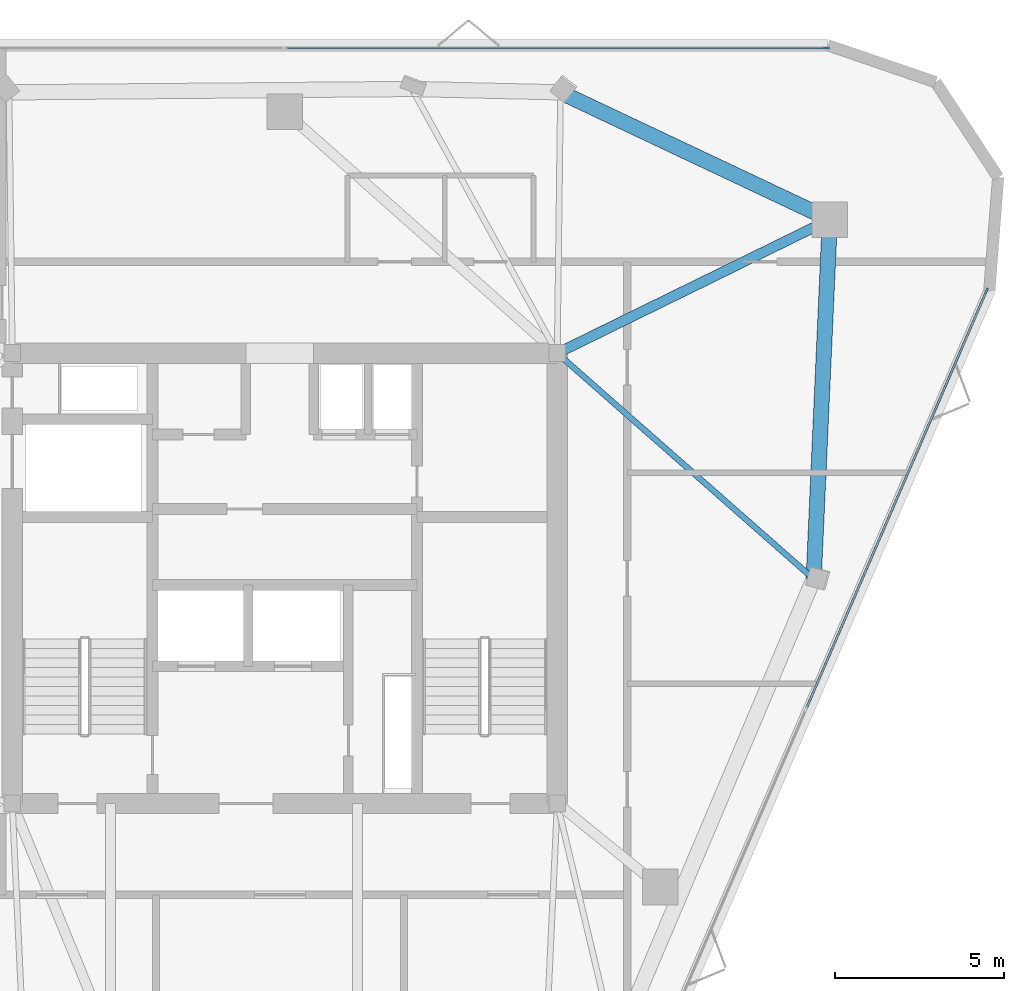
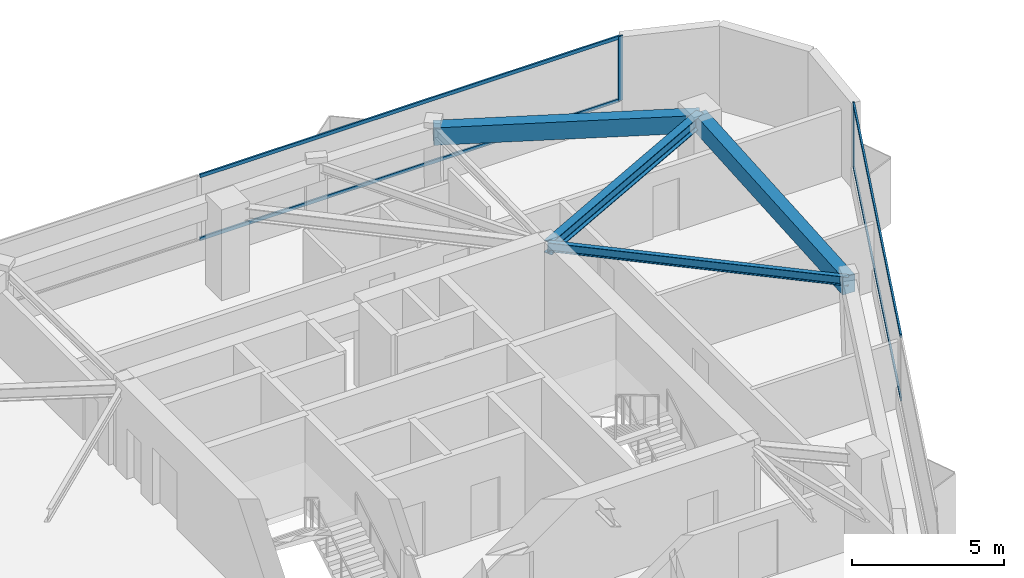
# One storey, part 5 of 9: 6 members, 4 beams, 2 elements without a shape of their own.
"""IFC4 building model written with IfcOpenShell, lengths in metres."""

from ifc_helpers import new_model, si_unit, direction, frame, origin, origin_2d, place, context, subcontext, project, spatial, rectangle, i_section, extrude, material, layer, layer_set, material_profile, profile_set, type_object, element, aggregate, save


model = new_model("IFC4")

# Units and contexts
model_context = context("Model", 3, precision=1e-05, world=origin(), true_north=direction((0.0, 1.0)))
body_context = subcontext(model_context, "Body", "Model", "MODEL_VIEW")
ifc_project = project(units=[si_unit("LENGTHUNIT", "METRE"), si_unit("AREAUNIT", "SQUARE_METRE"), si_unit("VOLUMEUNIT", "CUBIC_METRE"), si_unit("PLANEANGLEUNIT", "RADIAN"), si_unit("MASSUNIT", "GRAM", prefix="KILO")], contexts=[model_context])

# Site, building, storey
site_placement = place(None, origin())
site = spatial("IfcSite", under=ifc_project, at=site_placement, CompositionType="ELEMENT")
building_placement = place(site_placement, origin())
building = spatial("IfcBuilding", under=site, at=building_placement, Name="Talyreon Biosciences Tower", CompositionType="ELEMENT")
storey_placement = place(building_placement, frame((0.0, 0.0, 298.39990234375)))
storey = spatial("IfcBuildingStorey", under=building, at=storey_placement, Name="L79", CompositionType="ELEMENT", Elevation=298.39990234375)

# Curtain wall, member
ifc_material_1 = material(Name="Thermally broken aluminium and low-E glazing", Category="aluminium")
ifc_layer = layer(ifc_material_1, 0.175048828125)
ifc_layer_set = layer_set([ifc_layer], Name="Thermally broken aluminium and low-E glazing")
curtain_wall_type = type_object("IfcCurtainWallType", Name="CurtainWall_Zone5CompLab", PredefinedType="NOTDEFINED", material=ifc_layer_set)
curtain_wall_1_placement = place(storey_placement, origin())
curtain_wall_1 = element("IfcCurtainWall", 1, at=curtain_wall_1_placement, inside=storey, type_object=curtain_wall_type, Name="L79 Unitised Curtain Wall FCW-L79-04", PredefinedType="NOTDEFINED")
ifc_material_2 = material(Name="Anodised thermally broken aluminium", Category="aluminium")
ifc_material_profile_1 = material_profile(ifc_material_2, rectangle(XDim=0.06494140625, YDim=0.179931640625, at=origin_2d()), Name="ALUM MULLION 65x180")
ifc_profile_set_1 = profile_set([ifc_material_profile_1], Name="Anodised thermally broken aluminium")
member_type_1 = type_object("IfcMemberType", Name="CWMullion_65x180", PredefinedType="MULLION", material=ifc_profile_set_1)
member_1_placement = place(storey_placement, frame((82.009765625, 83.67041015625, 0.81005859375), z_axis=(0.0, 0.0, 1.0), x_axis=(0.0, 1.0, 0.0)))
member_1 = element("IfcMember", 2, at=member_1_placement, type_object=member_type_1, Name="CW6 mullion 3", PredefinedType="MULLION", context=body_context, shape_type="SweptSolid", body=[
    extrude(rectangle(XDim=0.06494140625, YDim=0.179931640625, at=origin_2d()), origin(), (0.0, 0.0, 1.0), 2.590087890625),
])

curtain_wall_2_placement = place(storey_placement, origin())
curtain_wall_2 = element("IfcCurtainWall", 3, at=curtain_wall_2_placement, inside=storey, type_object=curtain_wall_type, Name="L79 Unitised Curtain Wall FCW-L79-08", PredefinedType="NOTDEFINED")
member_2_placement = place(storey_placement, frame((86.73046875, 76.4921875, 0.81005859375), z_axis=(0.0, 0.0, 1.0), x_axis=(0.918187314575, -0.396146507437, 0.0)))
member_2 = element("IfcMember", 4, at=member_2_placement, type_object=member_type_1, Name="CW6 mullion 1", PredefinedType="MULLION", context=body_context, shape_type="SweptSolid", body=[
    extrude(rectangle(XDim=0.06494140625, YDim=0.179931640625, at=origin_2d()), origin(), (0.0, 0.0, 1.0), 2.590087890625),
])

# Member
ifc_material_profile_2 = material_profile(ifc_material_2, rectangle(XDim=0.06494140625, YDim=0.139892578125, at=origin_2d()), Name="ALUM TRANSOM 65x140")
ifc_profile_set_2 = profile_set([ifc_material_profile_2], Name="Anodised thermally broken aluminium")
member_type_2 = type_object("IfcMemberType", Name="CWTransom_65x140", PredefinedType="USERDEFINED", material=ifc_profile_set_2)
member_3_placement = place(storey_placement, frame((66.032470703125, 83.67041015625, 0.842529296875), z_axis=(1.0, 0.0, 0.0), x_axis=(0.0, 1.0, 0.0)))
member_3 = element("IfcMember", 5, at=member_3_placement, type_object=member_type_2, Name="CW6 transom 2.1", ObjectType="TRANSOM", PredefinedType="USERDEFINED", context=body_context, shape_type="SweptSolid", body=[
    extrude(rectangle(XDim=0.06494140625, YDim=0.139892578125, at=origin_2d()), origin(), (0.0, 0.0, 1.0), 15.94482421875),
])

member_4_placement = place(storey_placement, frame((66.032470703125, 83.67041015625, 3.36767578125), z_axis=(1.0, 0.0, 0.0), x_axis=(0.0, 1.0, 0.0)))
member_4 = element("IfcMember", 6, at=member_4_placement, type_object=member_type_2, Name="CW6 transom 2.2", ObjectType="TRANSOM", PredefinedType="USERDEFINED", context=body_context, shape_type="SweptSolid", body=[
    extrude(rectangle(XDim=0.06494140625, YDim=0.139892578125, at=origin_2d()), origin(), (0.0, 0.0, 1.0), 15.94482421875),
])

aggregate(curtain_wall_1, [member_1, member_3, member_4])

member_5_placement = place(storey_placement, frame((86.717529296875, 76.46240234375, 0.842529296875), z_axis=(-0.396134480122, -0.918192503595, 0.0), x_axis=(0.918192503595, -0.396134480122, 0.0)))
member_5 = element("IfcMember", 7, at=member_5_placement, type_object=member_type_2, Name="CW6 transom 1.1", ObjectType="TRANSOM", PredefinedType="USERDEFINED", context=body_context, shape_type="SweptSolid", body=[
    extrude(rectangle(XDim=0.06494140625, YDim=0.139892578125, at=origin_2d()), origin(), (0.0, 0.0, 1.0), 13.40087890625),
])

member_6_placement = place(storey_placement, frame((86.717529296875, 76.46240234375, 3.36767578125), z_axis=(-0.396134480122, -0.918192503595, 0.0), x_axis=(0.918192503595, -0.396134480122, 0.0)))
member_6 = element("IfcMember", 8, at=member_6_placement, type_object=member_type_2, Name="CW6 transom 1.2", ObjectType="TRANSOM", PredefinedType="USERDEFINED", context=body_context, shape_type="SweptSolid", body=[
    extrude(rectangle(XDim=0.06494140625, YDim=0.139892578125, at=origin_2d()), origin(), (0.0, 0.0, 1.0), 13.40087890625),
])

aggregate(curtain_wall_2, [member_2, member_5, member_6])

# Beams
ifc_material_3 = material(Name="Precast concrete C45/55", Category="concrete")
ifc_material_profile_3 = material_profile(ifc_material_3, rectangle(XDim=0.449951171875, YDim=0.699951171875, at=origin_2d()), Name="RCB 450x700")
ifc_profile_set_3 = profile_set([ifc_material_profile_3], Name="Precast concrete C45/55")
beam_type_1 = type_object("IfcBeamType", Name="ExpressedSpandrel_450x700", PredefinedType="SPANDREL", material=ifc_profile_set_3)
beam_1_placement = place(storey_placement, frame((81.625, 67.981201171875, 3.050048828125), z_axis=(0.044908542512, 0.998991102468, 0.0), x_axis=(-0.998991102468, 0.044908542512, 0.0)))
element("IfcBeam", 9, at=beam_1_placement, inside=storey, type_object=beam_type_1, Name="L79 Expressed Horizontal Concrete Spandrel 04", PredefinedType="SPANDREL", context=body_context, shape_type="SweptSolid", body=[
    extrude(rectangle(XDim=0.449951171875, YDim=0.699951171875, at=origin_2d()), origin(), (0.0, 0.0, 1.0), 10.628173828125),
])
beam_2_placement = place(storey_placement, frame((82.102294921875, 78.5986328125, 3.050048828125), z_axis=(-0.904251325158, 0.42700063343, 0.0), x_axis=(-0.42700063343, -0.904251325158, 0.0)))
element("IfcBeam", 10, at=beam_2_placement, inside=storey, type_object=beam_type_1, Name="L79 Expressed Horizontal Concrete Spandrel 05", PredefinedType="SPANDREL", context=body_context, shape_type="SweptSolid", body=[
    extrude(rectangle(XDim=0.449951171875, YDim=0.699951171875, at=origin_2d()), origin(), (0.0, 0.0, 1.0), 8.798828125),
])
ifc_material_4 = material(Name="Steel SM355", Category="steel")
ifc_material_profile_4 = material_profile(ifc_material_4, i_section(OverallWidth=0.300048828125, OverallDepth=0.5, WebThickness=0.014404296875, FlangeThickness=0.028076171875, FilletRadius=0.027099609375, at=origin_2d()), Name="HE500B")
ifc_profile_set_4 = profile_set([ifc_material_profile_4], Name="Steel SM355")
beam_type_2 = type_object("IfcBeamType", Name="SteelBeam_HE500B", PredefinedType="BEAM", material=ifc_profile_set_4)
beam_3_placement = place(storey_placement, frame((74.050048828125, 74.64990234375, 3.150146484375), z_axis=(0.897852360314, 0.440296648952, 0.0), x_axis=(-0.440296648952, 0.897852360314, 0.0)))
element("IfcBeam", 11, at=beam_3_placement, inside=storey, type_object=beam_type_2, Name="L79 Radial Primary Girder 3", PredefinedType="BEAM", context=body_context, shape_type="SweptSolid", body=[
    extrude(i_section(OverallWidth=0.300048828125, OverallDepth=0.5, WebThickness=0.014404296875, FlangeThickness=0.028076171875, FilletRadius=0.027099609375, at=origin_2d()), origin(), (0.0, 0.0, 1.0), 8.96826171875),
])
ifc_material_profile_5 = material_profile(ifc_material_4, i_section(OverallWidth=0.169921875, OverallDepth=0.360107421875, WebThickness=0.008056640625, FlangeThickness=0.0126953125, FilletRadius=0.01806640625, at=origin_2d()), Name="IPE360")
ifc_profile_set_5 = profile_set([ifc_material_profile_5], Name="Steel SM355")
beam_type_3 = type_object("IfcBeamType", Name="SteelJoist_IPE360", PredefinedType="JOIST", material=ifc_profile_set_5)
beam_4_placement = place(storey_placement, frame((74.050048828125, 74.64990234375, 3.22021484375), z_axis=(0.750578650374, -0.660781120797, 0.0), x_axis=(0.660781120797, 0.750578650374, 0.0)))
element("IfcBeam", 12, at=beam_4_placement, inside=storey, type_object=beam_type_3, Name="L79 Radial Composite Floor Joist PC-SE2", PredefinedType="JOIST", context=body_context, shape_type="SweptSolid", body=[
    extrude(i_section(OverallWidth=0.169921875, OverallDepth=0.360107421875, WebThickness=0.008056640625, FlangeThickness=0.0126953125, FilletRadius=0.01806640625, at=origin_2d()), origin(), (0.0, 0.0, 1.0), 10.092041015625),
])

save(model, "model.ifc")
